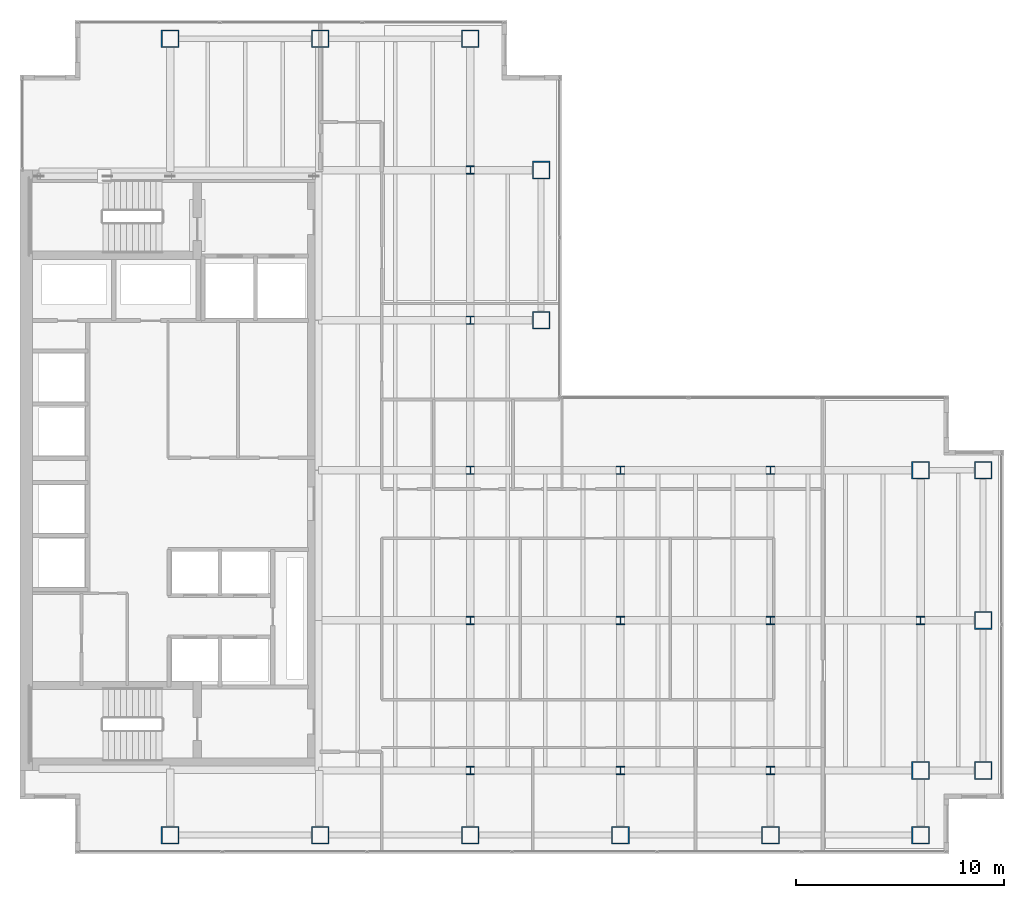
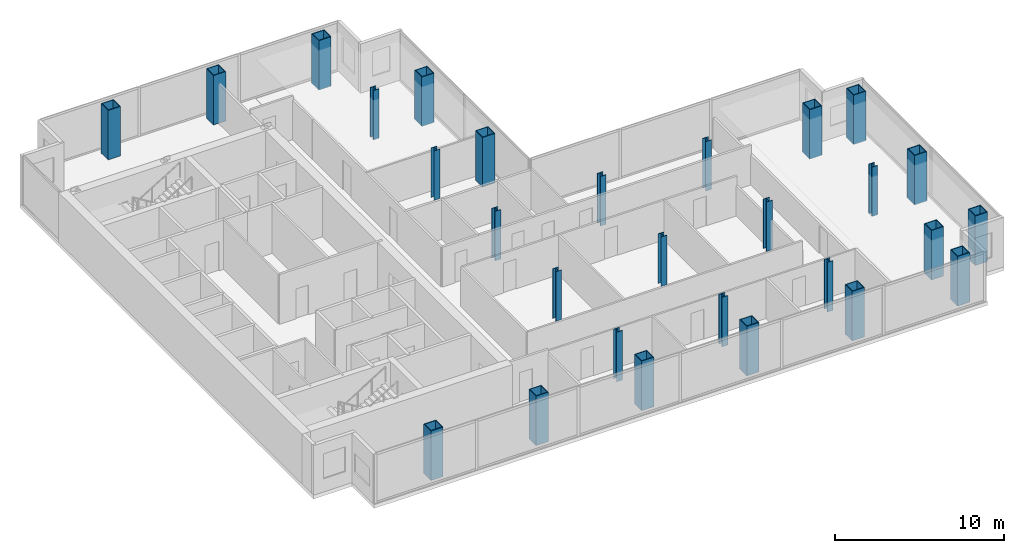
# One storey, part 1 of 24: 28 columns.
"""IFC4 building model written with IfcOpenShell, lengths in metres."""

from ifc_helpers import new_model, si_unit, direction, frame, origin, origin_2d, place, context, subcontext, project, spatial, hollow_rectangle, i_section, extrude, material, material_profile, profile_set, type_object, element, save


model = new_model("IFC4")

# Units and contexts
model_context = context("Model", 3, precision=1e-05, world=origin(), true_north=direction((0.0, 1.0)))
body_context = subcontext(model_context, "Body", "Model", "MODEL_VIEW")
ifc_project = project(units=[si_unit("LENGTHUNIT", "METRE"), si_unit("AREAUNIT", "SQUARE_METRE"), si_unit("VOLUMEUNIT", "CUBIC_METRE"), si_unit("PLANEANGLEUNIT", "RADIAN"), si_unit("MASSUNIT", "GRAM", prefix="KILO")], contexts=[model_context])

# Site, building, storey
site_placement = place(None, origin())
site = spatial("IfcSite", under=ifc_project, at=site_placement, CompositionType="ELEMENT")
building_placement = place(site_placement, origin())
building = spatial("IfcBuilding", under=site, at=building_placement, Name="Cobrela Telecom Tower", CompositionType="ELEMENT")
storey_placement = place(building_placement, frame((0.0, 0.0, 152.25)))
storey = spatial("IfcBuildingStorey", under=building, at=storey_placement, Name="L38", CompositionType="ELEMENT", Elevation=152.25)

# Columns
ifc_material_1 = material(Name="Steel ASTM A992 Grade 50", Category="steel")
ifc_material_profile_1 = material_profile(ifc_material_1, i_section(OverallWidth=0.39892578125, OverallDepth=0.39404296875, WebThickness=0.022705078125, FlangeThickness=0.03662109375, FilletRadius=0.01806640625, at=origin_2d()), Name="W14X193")
ifc_profile_set_1 = profile_set([ifc_material_profile_1], Name="Steel ASTM A992 Grade 50")
column_type_1 = type_object("IfcColumnType", Name="COL-INT-06", PredefinedType="COLUMN", material=ifc_profile_set_1)
for number, where, z_axis, x_axis, name in (
    (1, (21.60009765625, 7.199951171875, 0.0), (0.0, 0.0, 1.0), (1.0, 0.0, 0.0), "L38 Interior Column 06"),
    (2, (21.60009765625, 14.39990234375, 0.0), (0.0, 0.0, 1.0), (1.0, 0.0, 0.0), "L38 Interior Column 07"),
    (3, (21.60009765625, 21.60009765625, 0.0), (0.0, 0.0, 1.0), (1.0, 0.0, 0.0), "L38 Interior Column 08"),
    (4, (21.60009765625, 28.800048828125, 0.0), (0.0, 0.0, 1.0), (1.0, 0.0, 0.0), "L38 Interior Column 09"),
    (5, (21.60009765625, 36.0, 0.0), (0.0, 0.0, 1.0), (1.0, 0.0, 0.0), "L38 Interior Column 10"),
    (6, (28.800048828125, 7.199951171875, 0.0), (0.0, 0.0, 1.0), (1.0, 0.0, 0.0), "L38 Interior Column 15"),
    (7, (28.800048828125, 14.39990234375, 0.0), (0.0, 0.0, 1.0), (1.0, 0.0, 0.0), "L38 Interior Column 16"),
    (8, (28.800048828125, 21.60009765625, 0.0), (0.0, 0.0, 1.0), (1.0, 0.0, 0.0), "L38 Interior Column 17"),
    (9, (36.0, 7.199951171875, 0.0), (0.0, 0.0, 1.0), (1.0, 0.0, 0.0), "L38 Interior Column 19"),
    (10, (36.0, 14.39990234375, 0.0), (0.0, 0.0, 1.0), (1.0, 0.0, 0.0), "L38 Interior Column 20"),
    (11, (36.0, 21.60009765625, 0.0), (0.0, 0.0, 1.0), (1.0, 0.0, 0.0), "L38 Interior Column 21"),
    (12, (43.199951171875, 14.39990234375, 0.0), (0.0, 0.0, 1.0), (1.0, 0.0, 0.0), "L38 Interior Column 24"),
):
    element("IfcColumn", number, at=place(storey_placement, frame(where, z_axis=z_axis, x_axis=x_axis)), inside=storey, type_object=column_type_1, Name=name, PredefinedType="COLUMN", context=body_context, shape_type="SweptSolid", body=[
        extrude(i_section(OverallWidth=0.39892578125, OverallDepth=0.39404296875, WebThickness=0.022705078125, FlangeThickness=0.03662109375, FilletRadius=0.01806640625, at=origin_2d()), origin(), (0.0, 0.0, 1.0), 3.580078125),
    ])
ifc_material_2 = material(Name="Steel ASTM A572 Grade 50", Category="steel")
ifc_material_profile_2 = material_profile(ifc_material_2, hollow_rectangle(XDim=0.85009765625, YDim=0.85009765625, WallThickness=0.050048828125, at=origin_2d()), Name="BOX 850x850x50")
ifc_profile_set_2 = profile_set([ifc_material_profile_2], Name="Steel ASTM A572 Grade 50")
column_type_2 = type_object("IfcColumnType", Name="COL-MEGA-06", PredefinedType="COLUMN", material=ifc_profile_set_2)
for number, where, z_axis, x_axis, name in (
    (13, (7.199951171875, 4.10009765625, 0.0), (0.0, 0.0, 1.0), (1.0, 0.0, 0.0), "L38 Perimeter Mega-Column 01"),
    (14, (7.199951171875, 42.300048828125, 0.0), (0.0, 0.0, 1.0), (1.0, 0.0, 0.0), "L38 Perimeter Mega-Column 02"),
    (15, (14.39990234375, 4.10009765625, 0.0), (0.0, 0.0, 1.0), (1.0, 0.0, 0.0), "L38 Perimeter Mega-Column 03"),
    (16, (14.39990234375, 42.300048828125, 0.0), (0.0, 0.0, 1.0), (1.0, 0.0, 0.0), "L38 Perimeter Mega-Column 04"),
    (17, (21.60009765625, 4.10009765625, 0.0), (0.0, 0.0, 1.0), (1.0, 0.0, 0.0), "L38 Perimeter Mega-Column 05"),
    (18, (21.60009765625, 42.300048828125, 0.0), (0.0, 0.0, 1.0), (1.0, 0.0, 0.0), "L38 Perimeter Mega-Column 11"),
    (19, (25.0, 28.800048828125, 0.0), (0.0, 0.0, 1.0), (1.0, 0.0, 0.0), "L38 Perimeter Mega-Column 12"),
    (20, (25.0, 36.0, 0.0), (0.0, 0.0, 1.0), (1.0, 0.0, 0.0), "L38 Perimeter Mega-Column 13"),
    (21, (28.800048828125, 4.10009765625, 0.0), (0.0, 0.0, 1.0), (1.0, 0.0, 0.0), "L38 Perimeter Mega-Column 14"),
    (22, (36.0, 4.10009765625, 0.0), (0.0, 0.0, 1.0), (1.0, 0.0, 0.0), "L38 Perimeter Mega-Column 18"),
    (23, (43.199951171875, 4.10009765625, 0.0), (0.0, 0.0, 1.0), (1.0, 0.0, 0.0), "L38 Perimeter Mega-Column 22"),
    (24, (43.199951171875, 7.199951171875, 0.0), (0.0, 0.0, 1.0), (1.0, 0.0, 0.0), "L38 Perimeter Mega-Column 23"),
    (25, (43.199951171875, 21.60009765625, 0.0), (0.0, 0.0, 1.0), (1.0, 0.0, 0.0), "L38 Perimeter Mega-Column 25"),
    (26, (46.199951171875, 7.199951171875, 0.0), (0.0, 0.0, 1.0), (1.0, 0.0, 0.0), "L38 Perimeter Mega-Column 26"),
    (27, (46.199951171875, 14.39990234375, 0.0), (0.0, 0.0, 1.0), (1.0, 0.0, 0.0), "L38 Perimeter Mega-Column 27"),
    (28, (46.199951171875, 21.60009765625, 0.0), (0.0, 0.0, 1.0), (1.0, 0.0, 0.0), "L38 Perimeter Mega-Column 28"),
):
    element("IfcColumn", number, at=place(storey_placement, frame(where, z_axis=z_axis, x_axis=x_axis)), inside=storey, type_object=column_type_2, Name=name, PredefinedType="COLUMN", context=body_context, shape_type="SweptSolid", body=[
        extrude(hollow_rectangle(XDim=0.85009765625, YDim=0.85009765625, WallThickness=0.050048828125, at=origin_2d()), origin(), (0.0, 0.0, 1.0), 3.580078125),
    ])

save(model, "model.ifc")
